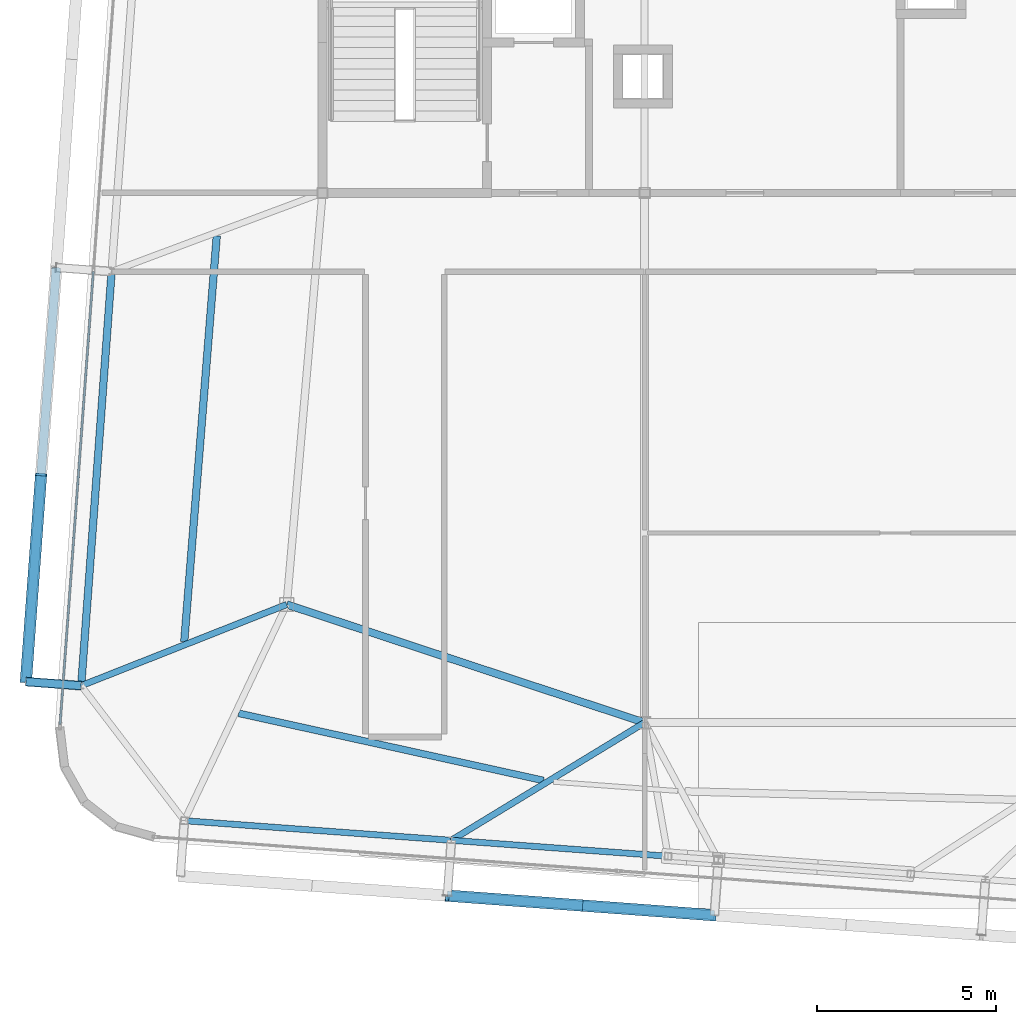
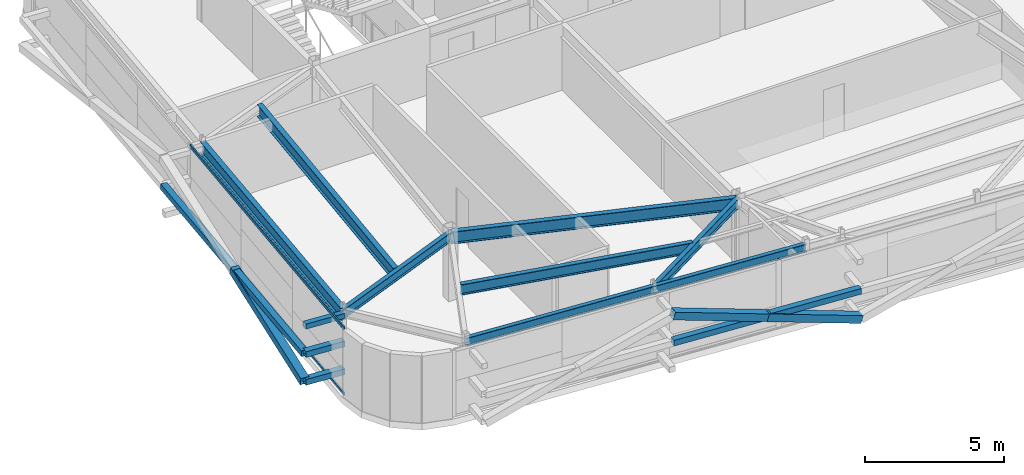
# One storey, part 10 of 35: 10 members, 8 beams, 1 element without a shape of its own.
"""IFC4 building model written with IfcOpenShell, lengths in metres."""

from ifc_helpers import new_model, si_unit, direction, frame, origin, origin_2d, place, context, subcontext, project, spatial, hollow_rectangle, i_section, extrude, source, transform, mapped, material, layer, layer_set, material_profile, profile_set, type_object, element, aggregate, save


model = new_model("IFC4")

# Units and contexts
model_context = context("Model", 3, precision=1e-05, world=origin(), true_north=direction((0.0, 1.0)))
body_context = subcontext(model_context, "Body", "Model", "MODEL_VIEW")
ifc_project = project(units=[si_unit("LENGTHUNIT", "METRE"), si_unit("AREAUNIT", "SQUARE_METRE"), si_unit("VOLUMEUNIT", "CUBIC_METRE"), si_unit("PLANEANGLEUNIT", "RADIAN"), si_unit("MASSUNIT", "GRAM", prefix="KILO")], contexts=[model_context])

# Site, building, storey
site_placement = place(None, origin())
site = spatial("IfcSite", under=ifc_project, at=site_placement, CompositionType="ELEMENT")
building_placement = place(site_placement, origin())
building = spatial("IfcBuilding", under=site, at=building_placement, Name="Taldren Reach Tower", CompositionType="ELEMENT")
storey_placement = place(building_placement, frame((0.0, 0.0, 236.60009765625)))
storey = spatial("IfcBuildingStorey", under=building, at=storey_placement, Name="L72", CompositionType="ELEMENT", Elevation=236.60009765625)

# Beams
ifc_material_1 = material(Name="Steel Gr 350 (350PLUS)", Category="steel")
ifc_material_profile_1 = material_profile(ifc_material_1, i_section(OverallWidth=0.208984375, OverallDepth=0.532958984375, WebThickness=0.01025390625, FlangeThickness=0.015625, at=origin_2d()), Name="530UB92.4")
ifc_profile_set_1 = profile_set([ifc_material_profile_1], Name="Steel Gr 350 (350PLUS)")
beam_type_1 = type_object("IfcBeamType", Name="BM-UB530A", PredefinedType="BEAM", material=ifc_profile_set_1)
shared_shape_1 = source(origin(), body_context, "Body", "SweptSolid", [
    extrude(i_section(OverallWidth=0.208984375, OverallDepth=0.532958984375, WebThickness=0.01025390625, FlangeThickness=0.015625, at=origin_2d()), origin(), (0.0, 0.0, 1.0), 10.530517578125),
])
beam_1_placement = place(storey_placement, frame((18.0, 12.5, 2.663330078125), z_axis=(0.949627269203, -0.313381635689, 0.0), x_axis=(0.313381635689, 0.949627269203, 0.0)))
element("IfcBeam", 1, at=beam_1_placement, inside=storey, type_object=beam_type_1, Name="Core-spine girder L72-SP10", PredefinedType="BEAM", context=body_context, shape_type="MappedRepresentation", body=[
    mapped(shared_shape_1, transform((0.0, 0.0, 0.0), scale=1.0)),
])
ifc_material_profile_2 = material_profile(ifc_material_1, i_section(OverallWidth=0.172119140625, OverallDepth=0.35888671875, WebThickness=0.008056640625, FlangeThickness=0.012939453125, at=origin_2d()), Name="360UB56.7")
ifc_profile_set_2 = profile_set([ifc_material_profile_2], Name="Steel Gr 350 (350PLUS)")
beam_type_2 = type_object("IfcBeamType", Name="SP-UB360", PredefinedType="SPANDREL", material=ifc_profile_set_2)
shared_shape_2 = source(origin(), body_context, "Body", "SweptSolid", [
    extrude(i_section(OverallWidth=0.172119140625, OverallDepth=0.35888671875, WebThickness=0.008056640625, FlangeThickness=0.012939453125, at=origin_2d()), origin(), (0.0, 0.0, 1.0), 7.47998046875),
])
beam_2_placement = place(storey_placement, frame((15.140625, 6.460205078125, 2.75048828125), z_axis=(0.997314220642, -0.07324169103, 0.0), x_axis=(0.07324169103, 0.997314220642, 0.0)))
element("IfcBeam", 2, at=beam_2_placement, inside=storey, type_object=beam_type_2, Name="Perimeter spandrel B5 S1-S2 L72", PredefinedType="SPANDREL", context=body_context, shape_type="MappedRepresentation", body=[
    mapped(shared_shape_2, transform((0.0, 0.0, 0.0), scale=1.0)),
])
shared_shape_3 = source(origin(), body_context, "Body", "SweptSolid", [
    extrude(i_section(OverallWidth=0.172119140625, OverallDepth=0.35888671875, WebThickness=0.008056640625, FlangeThickness=0.012939453125, at=origin_2d()), origin(), (0.0, 0.0, 1.0), 6.070068359375),
])
beam_3_placement = place(storey_placement, frame((22.6005859375, 5.912353515625, 2.75048828125), z_axis=(0.997314196413, -0.073242020958, 0.0), x_axis=(0.073242020958, 0.997314196413, 0.0)))
element("IfcBeam", 3, at=beam_3_placement, inside=storey, type_object=beam_type_2, Name="Perimeter spandrel B5 S2-PJ1 L72", PredefinedType="SPANDREL", context=body_context, shape_type="MappedRepresentation", body=[
    mapped(shared_shape_3, transform((0.0, 0.0, 0.0), scale=1.0)),
])
ifc_material_profile_3 = material_profile(ifc_material_1, i_section(OverallWidth=0.208984375, OverallDepth=0.528076171875, WebThickness=0.009521484375, FlangeThickness=0.01318359375, at=origin_2d()), Name="530UB82.0")
ifc_profile_set_3 = profile_set([ifc_material_profile_3], Name="Steel Gr 350 (350PLUS)")
beam_type_3 = type_object("IfcBeamType", Name="SP-UB530B", PredefinedType="SPANDREL", material=ifc_profile_set_3)
shared_shape_4 = source(origin(), body_context, "Body", "SweptSolid", [
    extrude(i_section(OverallWidth=0.208984375, OverallDepth=0.528076171875, WebThickness=0.009521484375, FlangeThickness=0.01318359375, at=origin_2d()), origin(), (0.0, 0.0, 1.0), 11.60009765625),
])
beam_4_placement = place(storey_placement, frame((13.108642578125, 21.80029296875, 2.666015625), z_axis=(-0.073242167855, -0.997314185625, 0.0), x_axis=(0.997314185625, -0.073242167855, 0.0)))
element("IfcBeam", 4, at=beam_4_placement, inside=storey, type_object=beam_type_3, Name="Perimeter spandrel B5 W2-W1 L72", PredefinedType="SPANDREL", context=body_context, shape_type="MappedRepresentation", body=[
    mapped(shared_shape_4, transform((0.0, 0.0, 0.0), scale=1.0)),
])
ifc_material_profile_4 = material_profile(ifc_material_1, i_section(OverallWidth=0.177978515625, OverallDepth=0.406005859375, WebThickness=0.0078125, FlangeThickness=0.0126953125, at=origin_2d()), Name="410UB59.7")
ifc_profile_set_4 = profile_set([ifc_material_profile_4], Name="Steel Gr 350 (350PLUS)")
beam_type_4 = type_object("IfcBeamType", Name="BM-UB410", PredefinedType="BEAM", material=ifc_profile_set_4)
shared_shape_5 = source(origin(), body_context, "Body", "SweptSolid", [
    extrude(i_section(OverallWidth=0.177978515625, OverallDepth=0.406005859375, WebThickness=0.0078125, FlangeThickness=0.0126953125, at=origin_2d()), origin(), (0.0, 0.0, 1.0), 6.321533203125),
])
beam_5_placement = place(storey_placement, frame((28.0, 9.199951171875, 2.726806640625), z_axis=(-0.854128445192, -0.520062110823, 0.0), x_axis=(0.520062110823, -0.854128445192, 0.0)))
element("IfcBeam", 5, at=beam_5_placement, inside=storey, type_object=beam_type_4, Name="Primary floor girder B5-S2 L72", PredefinedType="BEAM", context=body_context, shape_type="MappedRepresentation", body=[
    mapped(shared_shape_5, transform((0.0, 0.0, 0.0), scale=1.0)),
])
shared_shape_6 = source(origin(), body_context, "Body", "SweptSolid", [
    extrude(i_section(OverallWidth=0.177978515625, OverallDepth=0.406005859375, WebThickness=0.0078125, FlangeThickness=0.0126953125, at=origin_2d()), origin(), (0.0, 0.0, 1.0), 6.1728515625),
])
beam_6_placement = place(storey_placement, frame((18.0, 12.5, 2.726806640625), z_axis=(-0.930023287794, -0.367500590695, 0.0), x_axis=(0.367500590695, -0.930023287794, 0.0)))
element("IfcBeam", 6, at=beam_6_placement, inside=storey, type_object=beam_type_4, Name="Primary floor girder B5-W1 L72", PredefinedType="BEAM", context=body_context, shape_type="MappedRepresentation", body=[
    mapped(shared_shape_6, transform((0.0, 0.0, 0.0), scale=1.0)),
])
ifc_material_profile_5 = material_profile(ifc_material_1, i_section(OverallWidth=0.19091796875, OverallDepth=0.4599609375, WebThickness=0.010009765625, FlangeThickness=0.01611328125, at=origin_2d()), Name="460UB82.1")
ifc_profile_set_5 = profile_set([ifc_material_profile_5], Name="Steel Gr 350 (350PLUS)")
beam_type_5 = type_object("IfcBeamType", Name="BM-UB460A", PredefinedType="BEAM", material=ifc_profile_set_5)
shared_shape_7 = source(origin(), body_context, "Body", "SweptSolid", [
    extrude(i_section(OverallWidth=0.19091796875, OverallDepth=0.4599609375, WebThickness=0.010009765625, FlangeThickness=0.01611328125, at=origin_2d()), origin(), (0.0, 0.0, 1.0), 8.719482421875),
])
beam_7_placement = place(storey_placement, frame((16.659423828125, 9.46044921875, 2.699951171875), z_axis=(0.976568964704, -0.2152046867, 0.0), x_axis=(0.2152046867, 0.976568964704, 0.0)))
element("IfcBeam", 7, at=beam_7_placement, inside=storey, type_object=beam_type_5, Name="Secondary floor beam B5 J1 L72", PredefinedType="BEAM", context=body_context, shape_type="MappedRepresentation", body=[
    mapped(shared_shape_7, transform((0.0, 0.0, 0.0), scale=1.0)),
])
shared_shape_8 = source(origin(), body_context, "Body", "SweptSolid", [
    extrude(i_section(OverallWidth=0.208984375, OverallDepth=0.532958984375, WebThickness=0.01025390625, FlangeThickness=0.015625, at=origin_2d()), origin(), (0.0, 0.0, 1.0), 11.3740234375),
])
beam_8_placement = place(storey_placement, frame((15.137451171875, 11.464599609375, 2.663330078125), z_axis=(0.079913287803, 0.996801819036, 0.0), x_axis=(-0.996801819036, 0.079913287803, 0.0)))
element("IfcBeam", 8, at=beam_8_placement, inside=storey, type_object=beam_type_1, Name="Secondary floor beam B5 J6 L72", PredefinedType="BEAM", context=body_context, shape_type="MappedRepresentation", body=[
    mapped(shared_shape_8, transform((0.0, 0.0, 0.0), scale=1.0)),
])

# Members
ifc_material_2 = material(Name="Steel Gr 450 (C450L0)", Category="steel")
ifc_material_profile_6 = material_profile(ifc_material_2, hollow_rectangle(XDim=0.219970703125, YDim=0.219970703125, WallThickness=0.00830078125, at=origin_2d()), Name="220x220x8.2SHS")
ifc_profile_set_6 = profile_set([ifc_material_profile_6], Name="Steel Gr 450 (C450L0)")
member_type_1 = type_object("IfcMemberType", Name="MB-TIE219", PredefinedType="STRUT", material=ifc_profile_set_6)
shared_shape_9 = source(origin(), body_context, "Body", "SweptSolid", [
    extrude(hollow_rectangle(XDim=0.219970703125, YDim=0.219970703125, WallThickness=0.00830078125, at=origin_2d()), origin(), (0.0, 0.0, 1.0), 1.5458984375),
])
member_1_placement = place(storey_placement, frame((12.255126953125, 10.231689453125, 2.64990234375), z_axis=(-0.997311530447, 0.073278313559, 0.0), x_axis=(-0.073278313559, -0.997311530447, 0.0)))
element("IfcMember", 9, at=member_1_placement, inside=storey, type_object=member_type_1, Name="Exoskeleton diaphragm tie strut B5-W1 L72", PredefinedType="STRUT", context=body_context, shape_type="MappedRepresentation", body=[
    mapped(shared_shape_9, transform((0.0, 0.0, 0.0), scale=1.0)),
])
ifc_material_profile_7 = material_profile(ifc_material_2, hollow_rectangle(XDim=0.324951171875, YDim=0.324951171875, WallThickness=0.0126953125, at=origin_2d()), Name="325x325x12.7SHS")
ifc_profile_set_7 = profile_set([ifc_material_profile_7], Name="Steel Gr 450 (C450L0)")
member_type_2 = type_object("IfcMemberType", Name="MB-BR324", PredefinedType="BRACE", material=ifc_profile_set_7)
shared_shape_10 = source(origin(), body_context, "Body", "SweptSolid", [
    extrude(hollow_rectangle(XDim=0.324951171875, YDim=0.324951171875, WallThickness=0.0126953125, at=origin_2d()), origin(), (0.0, 0.0, 1.0), 3.932373046875),
])
for number, where, z_axis, x_axis, name in (
    (10, (29.947021484375, 3.81884765625, 0.219970703125), (-0.948529326954, 0.06965898055, 0.308933232813), (-0.07324169103, -0.997314220642, 0.0), "Exoskeleton Diagrid Brace B5-S2 L72"),
    (11, (26.217041015625, 4.0927734375, 1.434814453125), (-0.948511132845, 0.069657644394, 0.308989390507), (-0.07324169103, -0.997314220642, 0.0), "Exoskeleton Diagrid Brace B5-S2 L72"),
):
    element("IfcMember", number, at=place(storey_placement, frame(where, z_axis=z_axis, x_axis=x_axis)), inside=storey, type_object=member_type_2, Name=name, PredefinedType="BRACE", context=body_context, shape_type="MappedRepresentation", body=[
        mapped(shared_shape_10, transform((0.0, 0.0, 0.0), scale=1.0)),
    ])
ifc_material_3 = material(Name="Steel Gr 350 (C350L0)", Category="steel")
ifc_material_profile_8 = material_profile(ifc_material_3, hollow_rectangle(XDim=0.25, YDim=0.25, WallThickness=0.010009765625, at=origin_2d()), Name="250x250x10.0SHS")
ifc_profile_set_8 = profile_set([ifc_material_profile_8], Name="Steel Gr 350 (C350L0)")
member_type_3 = type_object("IfcMemberType", Name="MB-POST250", PredefinedType="POST", material=ifc_profile_set_8)
shared_shape_11 = source(origin(), body_context, "Body", "SweptSolid", [
    extrude(hollow_rectangle(XDim=0.25, YDim=0.25, WallThickness=0.010009765625, at=origin_2d()), origin(), (0.0, 0.0, 1.0), 7.47998046875),
])
member_2_placement = place(storey_placement, frame((22.487060546875, 4.36669921875, 1.434814453125), z_axis=(0.997314220642, -0.07324169103, 0.0), x_axis=(0.07324169103, 0.997314220642, 0.0)))
element("IfcMember", 12, at=member_2_placement, inside=storey, type_object=member_type_3, Name="Exoskeleton mid-height ring chord B5-S2 L72", PredefinedType="POST", context=body_context, shape_type="MappedRepresentation", body=[
    mapped(shared_shape_11, transform((0.0, 0.0, 0.0), scale=1.0)),
])
shared_shape_12 = source(origin(), body_context, "Body", "SweptSolid", [
    extrude(hollow_rectangle(XDim=0.324951171875, YDim=0.324951171875, WallThickness=0.0126953125, at=origin_2d()), origin(), (0.0, 0.0, 1.0), 5.92578125),
])
member_3_placement = place(storey_placement, frame((10.71337890625, 10.344970703125, 0.219970703125), z_axis=(0.071645553297, 0.976134614303, 0.205007632667), x_axis=(-0.997317259472, 0.073200300267, 0.0)))
element("IfcMember", 13, at=member_3_placement, inside=storey, type_object=member_type_2, Name="Exoskeleton Diagrid Brace B5-W1 L72", PredefinedType="BRACE", context=body_context, shape_type="MappedRepresentation", body=[
    mapped(shared_shape_12, transform((0.0, 0.0, 0.0), scale=1.0)),
])
shared_shape_13 = source(origin(), body_context, "Body", "SweptSolid", [
    extrude(hollow_rectangle(XDim=0.25, YDim=0.25, WallThickness=0.010009765625, at=origin_2d()), origin(), (0.0, 0.0, 1.0), 11.60009765625),
])
member_4_placement = place(storey_placement, frame((10.71337890625, 10.344970703125, 1.434814453125), z_axis=(0.073221234109, 0.997315722766, 0.0), x_axis=(-0.997315722766, 0.073221234109, 0.0)))
element("IfcMember", 14, at=member_4_placement, inside=storey, type_object=member_type_3, Name="Exoskeleton mid-height ring chord B5-W1 L72", PredefinedType="POST", context=body_context, shape_type="MappedRepresentation", body=[
    mapped(shared_shape_13, transform((0.0, 0.0, 0.0), scale=1.0)),
])
shared_shape_14 = source(origin(), body_context, "Body", "SweptSolid", [
    extrude(hollow_rectangle(XDim=0.25, YDim=0.25, WallThickness=0.010009765625, at=origin_2d()), origin(), (0.0, 0.0, 1.0), 1.5458984375),
])
for number, where, z_axis, x_axis, name in (
    (15, (12.255126953125, 10.231689453125, 0.219970703125), (-0.997311530447, 0.073278313559, 0.0), (-0.073278313559, -0.997311530447, 0.0), "Exoskeleton base diaphragm tie strut B5-W1 L72"),
    (16, (12.255126953125, 10.231689453125, 1.434814453125), (-0.997311530447, 0.073278313559, 0.0), (-0.073278313559, -0.997311530447, 0.0), "Exoskeleton mid-tier diaphragm tie B5-W1 L72"),
):
    element("IfcMember", number, at=place(storey_placement, frame(where, z_axis=z_axis, x_axis=x_axis)), inside=storey, type_object=member_type_3, Name=name, PredefinedType="POST", context=body_context, shape_type="MappedRepresentation", body=[
        mapped(shared_shape_14, transform((0.0, 0.0, 0.0), scale=1.0)),
    ])

# Curtain wall, members
ifc_material_4 = material(Name="Aluminium and Low-E Glass Unitised System", Category="aluminium")
ifc_layer = layer(ifc_material_4, 0.159912109375)
ifc_layer_set = layer_set([ifc_layer], Name="Aluminium and Low-E Glass Unitised System")
curtain_wall_type = type_object("IfcCurtainWallType", Name="CW-SYS-6", PredefinedType="NOTDEFINED", material=ifc_layer_set)
curtain_wall_placement = place(storey_placement, origin())
curtain_wall = element("IfcCurtainWall", 17, at=curtain_wall_placement, inside=storey, type_object=curtain_wall_type, Name="Unitised curtain wall CW-L72-W", PredefinedType="NOTDEFINED")
ifc_material_5 = material(Name="Anodised Aluminium 6063-T6", Category="aluminium")
ifc_material_profile_9 = material_profile(ifc_material_5, hollow_rectangle(XDim=0.06005859375, YDim=0.135009765625, WallThickness=0.00341796875, at=origin_2d()), Name="ALU-135x60x3.5RHS")
ifc_profile_set_9 = profile_set([ifc_material_profile_9], Name="Anodised Aluminium 6063-T6")
member_type_4 = type_object("IfcMemberType", Name="CW-TRN-150", PredefinedType="USERDEFINED", material=ifc_profile_set_9)
shared_shape_15 = source(origin(), body_context, "Body", "SweptSolid", [
    extrude(hollow_rectangle(XDim=0.06005859375, YDim=0.135009765625, WallThickness=0.00341796875, at=origin_2d()), origin(), (0.0, 0.0, 1.0), 12.687744140625),
])
member_5_placement = place(storey_placement, frame((12.597412109375, 21.80029296875, 0.02978515625), z_axis=(-0.073236592425, -0.997314595065, 0.0), x_axis=(0.997314595065, -0.073236592425, 0.0)))
member_5 = element("IfcMember", 18, at=member_5_placement, type_object=member_type_4, Name="CW-6 transom 2.1", ObjectType="TRANSOM", PredefinedType="USERDEFINED", context=body_context, shape_type="MappedRepresentation", body=[
    mapped(shared_shape_15, transform((0.0, 0.0, 0.0), scale=1.0)),
])
member_6_placement = place(storey_placement, frame((12.597412109375, 21.80029296875, 2.89990234375), z_axis=(-0.073236592425, -0.997314595065, 0.0), x_axis=(0.997314595065, -0.073236592425, 0.0)))
member_6 = element("IfcMember", 19, at=member_6_placement, type_object=member_type_4, Name="CW-6 transom 2.2", ObjectType="TRANSOM", PredefinedType="USERDEFINED", context=body_context, shape_type="MappedRepresentation", body=[
    mapped(shared_shape_15, transform((0.0, 0.0, 0.0), scale=1.0)),
])
aggregate(curtain_wall, [member_5, member_6])

save(model, "model.ifc")
